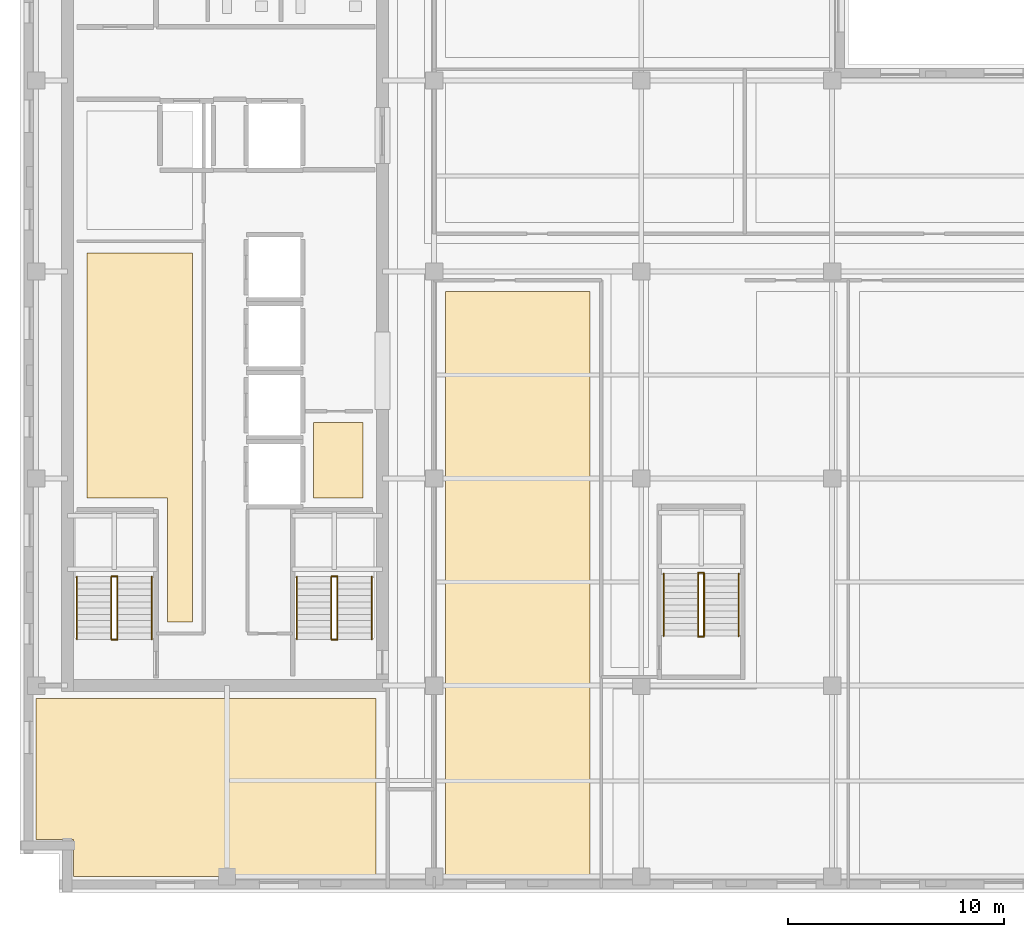
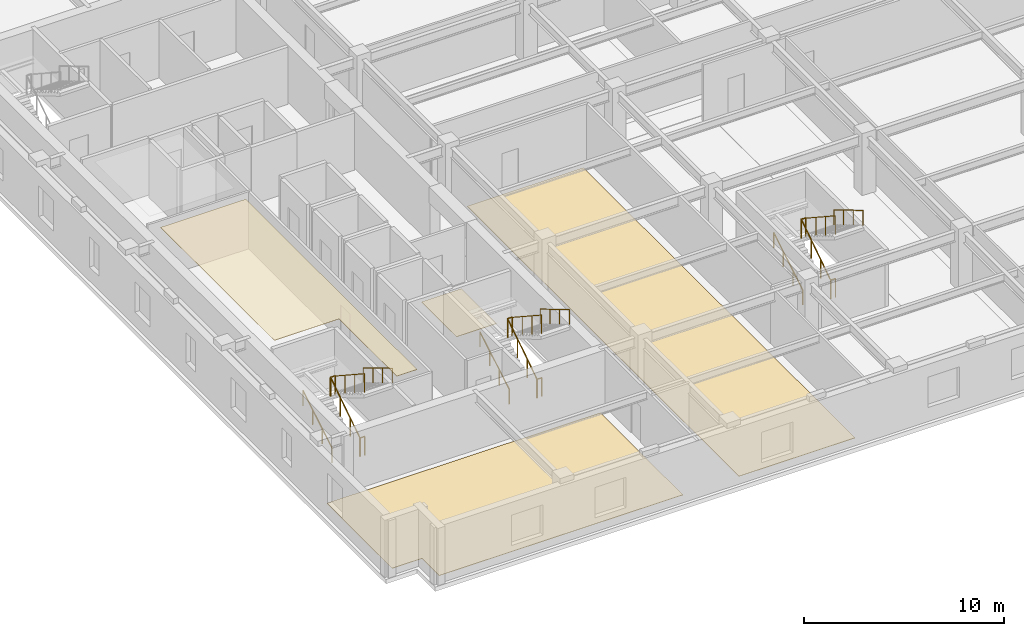
# One storey, part 7 of 11: 18 railings, 4 coverings.
"""IFC4 building model written with IfcOpenShell, lengths in metres."""

from ifc_helpers import new_model, si_unit, direction, frame, origin, origin_2d, place, context, subcontext, project, spatial, polyline, circle, outline, extrude, material, layer, layer_set, type_object, element, save


model = new_model("IFC4")

# Units and contexts
model_context = context("Model", 3, precision=1e-05, world=origin(), true_north=direction((0.0, 1.0)))
body_context = subcontext(model_context, "Body", "Model", "MODEL_VIEW")
ifc_project = project(units=[si_unit("LENGTHUNIT", "METRE"), si_unit("AREAUNIT", "SQUARE_METRE"), si_unit("VOLUMEUNIT", "CUBIC_METRE"), si_unit("PLANEANGLEUNIT", "RADIAN"), si_unit("MASSUNIT", "GRAM", prefix="KILO")], contexts=[model_context])

# Site, building, storey
site_placement = place(None, origin())
site = spatial("IfcSite", under=ifc_project, at=site_placement, CompositionType="ELEMENT")
building_placement = place(site_placement, origin())
building = spatial("IfcBuilding", under=site, at=building_placement, Name="Norrvale University Quadrangle", CompositionType="ELEMENT")
storey_placement = place(building_placement, frame((0.0, 0.0, 252.199951171875)))
storey = spatial("IfcBuildingStorey", under=building, at=storey_placement, Name="L64", CompositionType="ELEMENT", Elevation=252.199951171875)

# Coverings
ifc_material_1 = material(Name="Perforated Acoustic Mineral Ceiling")
ifc_layer_1 = layer(ifc_material_1, 0.02490234375, Name="Perforated Acoustic Mineral Ceiling")
ifc_layer_set_1 = layer_set([ifc_layer_1], Name="Perforated Acoustic Mineral Ceiling")
covering_type_1 = type_object("IfcCoveringType", Name="Covering Acoustic Ceiling 25", PredefinedType="CEILING", material=ifc_layer_set_1)
covering_1_placement = place(storey_placement, frame((0.0, 0.0, 3.455078125)))
element("IfcCovering", 1, at=covering_1_placement, inside=storey, type_object=covering_type_1, Name="Acoustic Ceiling RM-L64-REC1", PredefinedType="CEILING", context=body_context, shape_type="SweptSolid", body=[
    extrude(outline(polyline([(3.10009765625, 18.300048828125), (3.10009765625, 29.64990234375), (8.0, 29.64990234375), (8.0, 12.550048828125), (6.830078125, 12.550048828125), (6.830078125, 18.300048828125), (3.10009765625, 18.300048828125)])), origin(), (0.0, 0.0, 1.0), 0.02490234375),
])
ifc_material_2 = material(Name="Polished Terrazzo Flooring")
ifc_layer_2 = layer(ifc_material_2, 0.02490234375, Name="Polished Terrazzo Flooring")
ifc_layer_set_2 = layer_set([ifc_layer_2], Name="Polished Terrazzo Flooring")
covering_type_2 = type_object("IfcCoveringType", Name="Covering Terrazzo Floor 30", PredefinedType="FLOORING", material=ifc_layer_set_2)
covering_2_placement = place(storey_placement, origin())
element("IfcCovering", 2, at=covering_2_placement, inside=storey, type_object=covering_type_2, Name="Terrazzo Flooring RM-L64-JAN", PredefinedType="FLOORING", context=body_context, shape_type="SweptSolid", body=[
    extrude(outline(polyline([(13.60009765625, 18.300048828125), (13.60009765625, 21.800048828125), (15.89990234375, 21.800048828125), (15.89990234375, 18.300048828125), (13.60009765625, 18.300048828125)])), origin(), (0.0, 0.0, 1.0), 0.025146484375),
])
covering_3_placement = place(storey_placement, origin())
element("IfcCovering", 3, at=covering_3_placement, inside=storey, type_object=covering_type_2, Name="Terrazzo Flooring RM-L64-SW1", PredefinedType="FLOORING", context=body_context, shape_type="SweptSolid", body=[
    extrude(outline(polyline([(0.75, 9.0), (16.5, 9.0), (16.5, 0.75), (2.469970703125, 0.75), (2.469970703125, 2.469970703125), (0.75, 2.469970703125), (0.75, 9.0)])), origin(), (0.0, 0.0, 1.0), 0.025146484375),
])
covering_4_placement = place(storey_placement, origin())
element("IfcCovering", 4, at=covering_4_placement, inside=storey, type_object=covering_type_2, Name="Terrazzo Flooring RM-L64-SE1", PredefinedType="FLOORING", context=body_context, shape_type="SweptSolid", body=[
    extrude(outline(polyline([(19.72998046875, 27.8701171875), (26.419921875, 27.8701171875), (26.419921875, 0.75), (19.72998046875, 0.75), (19.72998046875, 27.8701171875)])), origin(), (0.0, 0.0, 1.0), 0.025146484375),
])

# Railings
ifc_material_3 = material(Name="Steel 350W Painted Balustrade", Category="steel")
railing_type_1 = type_object("IfcRailingType", Name="Railing Stair Guard 1100", PredefinedType="GUARDRAIL", material=ifc_material_3)
for number, where, name in (
    (5, (4.239990234375, 11.719970703125, 0.0), "Stair Floor Well Guard ST-01 L64"),
    (6, (4.239990234375, 14.679931640625, 1.900146484375), "Stair Mid-Landing Slot Guard ST-01 L64"),
):
    element("IfcRailing", number, at=place(storey_placement, frame(where)), inside=storey, type_object=railing_type_1, Name=name, PredefinedType="GUARDRAIL", context=body_context, shape_type="SweptSolid", body=[
        extrude(circle(Radius=0.02392578125, at=origin_2d()), frame((0.0, 0.0, 1.1259765625), z_axis=(1.0, 0.0, 0.0), x_axis=(0.0, 1.0, 0.0)), (0.0, 0.0, 1.0), 0.27001953125),
        extrude(circle(Radius=0.02099609375, at=origin_2d()), origin(), (0.0, 0.0, 1.0), 1.101806640625),
        extrude(circle(Radius=0.02099609375, at=origin_2d()), frame((0.27001953125, 0.0, 0.0)), (0.0, 0.0, 1.0), 1.101806640625),
    ])
railing_1_placement = place(storey_placement, frame((4.239990234375, 11.75, 0.0)))
element("IfcRailing", 7, at=railing_1_placement, inside=storey, type_object=railing_type_1, Name="Stair Lower Flight Inner Guard ST-01 L64", PredefinedType="GUARDRAIL", context=body_context, shape_type="SweptSolid", body=[
    extrude(circle(Radius=0.02392578125, at=origin_2d()), frame((0.0, 0.0, 1.1259765625), z_axis=(0.0, 0.836433300813, 0.548068730445), x_axis=(-1.0, 0.0, 0.0)), (0.0, 0.0, 1.0), 3.467041015625),
    extrude(circle(Radius=0.02099609375, at=origin_2d()), origin(), (0.0, 0.0, 1.0), 1.101806640625),
    extrude(circle(Radius=0.02099609375, at=origin_2d()), frame((0.0, 0.966552734375, 0.63330078125)), (0.0, 0.0, 1.0), 1.101806640625),
    extrude(circle(Radius=0.02099609375, at=origin_2d()), frame((0.0, 1.933349609375, 1.266845703125)), (0.0, 0.0, 1.0), 1.101806640625),
    extrude(circle(Radius=0.02099609375, at=origin_2d()), frame((0.0, 2.89990234375, 1.900146484375)), (0.0, 0.0, 1.0), 1.101806640625),
])
railing_2_placement = place(storey_placement, frame((4.510009765625, 14.64990234375, 1.900146484375)))
element("IfcRailing", 8, at=railing_2_placement, inside=storey, type_object=railing_type_1, Name="Stair Upper Flight Inner Guard ST-01 L64", PredefinedType="GUARDRAIL", context=body_context, shape_type="SweptSolid", body=[
    extrude(circle(Radius=0.02392578125, at=origin_2d()), frame((0.0, 0.0, 1.1259765625), z_axis=(0.0, -0.836465582154, 0.548019461216), x_axis=(1.0, 0.0, 0.0)), (0.0, 0.0, 1.0), 3.466796875),
    extrude(circle(Radius=0.02099609375, at=origin_2d()), origin(), (0.0, 0.0, 1.0), 1.101806640625),
    extrude(circle(Radius=0.02099609375, at=origin_2d()), frame((0.0, -0.966552734375, 0.63330078125)), (0.0, 0.0, 1.0), 1.101806640625),
    extrude(circle(Radius=0.02099609375, at=origin_2d()), frame((0.0, -1.933349609375, 1.2666015625)), (0.0, 0.0, 1.0), 1.101806640625),
    extrude(circle(Radius=0.02099609375, at=origin_2d()), frame((0.0, -2.89990234375, 1.89990234375)), (0.0, 0.0, 1.0), 1.101806640625),
])
for number, where, name in (
    (9, (14.43994140625, 11.719970703125, 0.0), "Stair Floor Well Guard ST-03 L64"),
    (10, (14.43994140625, 14.679931640625, 1.900146484375), "Stair Mid-Landing Slot Guard ST-03 L64"),
):
    element("IfcRailing", number, at=place(storey_placement, frame(where)), inside=storey, type_object=railing_type_1, Name=name, PredefinedType="GUARDRAIL", context=body_context, shape_type="SweptSolid", body=[
        extrude(circle(Radius=0.02392578125, at=origin_2d()), frame((0.0, 0.0, 1.1259765625), z_axis=(1.0, 0.0, 0.0), x_axis=(0.0, 1.0, 0.0)), (0.0, 0.0, 1.0), 0.27001953125),
        extrude(circle(Radius=0.02099609375, at=origin_2d()), origin(), (0.0, 0.0, 1.0), 1.101806640625),
        extrude(circle(Radius=0.02099609375, at=origin_2d()), frame((0.27001953125, 0.0, 0.0)), (0.0, 0.0, 1.0), 1.101806640625),
    ])
railing_3_placement = place(storey_placement, frame((14.43994140625, 11.75, 0.0)))
element("IfcRailing", 11, at=railing_3_placement, inside=storey, type_object=railing_type_1, Name="Stair Lower Flight Inner Guard ST-03 L64", PredefinedType="GUARDRAIL", context=body_context, shape_type="SweptSolid", body=[
    extrude(circle(Radius=0.02392578125, at=origin_2d()), frame((0.0, 0.0, 1.1259765625), z_axis=(0.0, 0.836433300813, 0.548068730445), x_axis=(-1.0, 0.0, 0.0)), (0.0, 0.0, 1.0), 3.467041015625),
    extrude(circle(Radius=0.02099609375, at=origin_2d()), origin(), (0.0, 0.0, 1.0), 1.101806640625),
    extrude(circle(Radius=0.02099609375, at=origin_2d()), frame((0.0, 0.966552734375, 0.63330078125)), (0.0, 0.0, 1.0), 1.101806640625),
    extrude(circle(Radius=0.02099609375, at=origin_2d()), frame((0.0, 1.933349609375, 1.266845703125)), (0.0, 0.0, 1.0), 1.101806640625),
    extrude(circle(Radius=0.02099609375, at=origin_2d()), frame((0.0, 2.89990234375, 1.900146484375)), (0.0, 0.0, 1.0), 1.101806640625),
])
railing_4_placement = place(storey_placement, frame((14.7099609375, 14.64990234375, 1.900146484375)))
element("IfcRailing", 12, at=railing_4_placement, inside=storey, type_object=railing_type_1, Name="Stair Upper Flight Inner Guard ST-03 L64", PredefinedType="GUARDRAIL", context=body_context, shape_type="SweptSolid", body=[
    extrude(circle(Radius=0.02392578125, at=origin_2d()), frame((0.0, 0.0, 1.1259765625), z_axis=(0.0, -0.836465582154, 0.548019461216), x_axis=(1.0, 0.0, 0.0)), (0.0, 0.0, 1.0), 3.466796875),
    extrude(circle(Radius=0.02099609375, at=origin_2d()), origin(), (0.0, 0.0, 1.0), 1.101806640625),
    extrude(circle(Radius=0.02099609375, at=origin_2d()), frame((0.0, -0.966552734375, 0.63330078125)), (0.0, 0.0, 1.0), 1.101806640625),
    extrude(circle(Radius=0.02099609375, at=origin_2d()), frame((0.0, -1.933349609375, 1.2666015625)), (0.0, 0.0, 1.0), 1.101806640625),
    extrude(circle(Radius=0.02099609375, at=origin_2d()), frame((0.0, -2.89990234375, 1.89990234375)), (0.0, 0.0, 1.0), 1.101806640625),
])
for number, where, name in (
    (13, (31.43994140625, 11.8701171875, 0.0), "Stair Floor Well Guard ST-04 L64"),
    (14, (31.43994140625, 14.830078125, 1.900146484375), "Stair Mid-Landing Slot Guard ST-04 L64"),
):
    element("IfcRailing", number, at=place(storey_placement, frame(where)), inside=storey, type_object=railing_type_1, Name=name, PredefinedType="GUARDRAIL", context=body_context, shape_type="SweptSolid", body=[
        extrude(circle(Radius=0.02392578125, at=origin_2d()), frame((0.0, 0.0, 1.1259765625), z_axis=(1.0, 0.0, 0.0), x_axis=(0.0, 1.0, 0.0)), (0.0, 0.0, 1.0), 0.27001953125),
        extrude(circle(Radius=0.02099609375, at=origin_2d()), origin(), (0.0, 0.0, 1.0), 1.101806640625),
        extrude(circle(Radius=0.02099609375, at=origin_2d()), frame((0.27001953125, 0.0, 0.0)), (0.0, 0.0, 1.0), 1.101806640625),
    ])
railing_5_placement = place(storey_placement, frame((31.43994140625, 11.89990234375, 0.0)))
element("IfcRailing", 15, at=railing_5_placement, inside=storey, type_object=railing_type_1, Name="Stair Lower Flight Inner Guard ST-04 L64", PredefinedType="GUARDRAIL", context=body_context, shape_type="SweptSolid", body=[
    extrude(circle(Radius=0.02392578125, at=origin_2d()), frame((0.0, 0.0, 1.1259765625), z_axis=(0.0, 0.836454451266, 0.548036450392), x_axis=(-1.0, 0.0, 0.0)), (0.0, 0.0, 1.0), 3.46728515625),
    extrude(circle(Radius=0.02099609375, at=origin_2d()), origin(), (0.0, 0.0, 1.0), 1.101806640625),
    extrude(circle(Radius=0.02099609375, at=origin_2d()), frame((0.0, 0.966796875, 0.63330078125)), (0.0, 0.0, 1.0), 1.101806640625),
    extrude(circle(Radius=0.02099609375, at=origin_2d()), frame((0.0, 1.933349609375, 1.266845703125)), (0.0, 0.0, 1.0), 1.101806640625),
    extrude(circle(Radius=0.02099609375, at=origin_2d()), frame((0.0, 2.900146484375, 1.900146484375)), (0.0, 0.0, 1.0), 1.101806640625),
])
railing_6_placement = place(storey_placement, frame((31.7099609375, 14.800048828125, 1.900146484375)))
element("IfcRailing", 16, at=railing_6_placement, inside=storey, type_object=railing_type_1, Name="Stair Upper Flight Inner Guard ST-04 L64", PredefinedType="GUARDRAIL", context=body_context, shape_type="SweptSolid", body=[
    extrude(circle(Radius=0.02392578125, at=origin_2d()), frame((0.0, 0.0, 1.1259765625), z_axis=(0.0, -0.836486729621, 0.547987181573), x_axis=(1.0, 0.0, 0.0)), (0.0, 0.0, 1.0), 3.467041015625),
    extrude(circle(Radius=0.02099609375, at=origin_2d()), origin(), (0.0, 0.0, 1.0), 1.101806640625),
    extrude(circle(Radius=0.02099609375, at=origin_2d()), frame((0.0, -0.966796875, 0.63330078125)), (0.0, 0.0, 1.0), 1.101806640625),
    extrude(circle(Radius=0.02099609375, at=origin_2d()), frame((0.0, -1.933349609375, 1.2666015625)), (0.0, 0.0, 1.0), 1.101806640625),
    extrude(circle(Radius=0.02099609375, at=origin_2d()), frame((0.0, -2.900146484375, 1.89990234375)), (0.0, 0.0, 1.0), 1.101806640625),
])
ifc_material_4 = material(Name="Stainless Steel 316L Handrail", Category="steel")
railing_type_2 = type_object("IfcRailingType", Name="Railing Stair Handrail 920", PredefinedType="HANDRAIL", material=ifc_material_4)
railing_7_placement = place(storey_placement, frame((2.639892578125, 11.75, 0.1728515625)))
element("IfcRailing", 17, at=railing_7_placement, inside=storey, type_object=railing_type_2, Name="Stair Lower Flight Handrail ST-01 L64", PredefinedType="HANDRAIL", context=body_context, shape_type="SweptSolid", body=[
    extrude(circle(Radius=0.02392578125, at=origin_2d()), frame((0.0, 0.0, 0.89599609375), z_axis=(0.0, 0.859141464434, 0.511738159696), x_axis=(-1.0, 0.0, 0.0)), (0.0, 0.0, 1.0), 3.375244140625),
    extrude(circle(Radius=0.02099609375, at=origin_2d()), origin(), (0.0, 0.0, 1.0), 0.871826171875),
    extrude(circle(Radius=0.02099609375, at=origin_2d()), frame((0.0, 0.966552734375, 0.57568359375)), (0.0, 0.0, 1.0), 0.871826171875),
    extrude(circle(Radius=0.02099609375, at=origin_2d()), frame((0.0, 1.933349609375, 1.151611328125)), (0.0, 0.0, 1.0), 0.871826171875),
    extrude(circle(Radius=0.02099609375, at=origin_2d()), frame((0.0, 2.89990234375, 1.727294921875)), (0.0, 0.0, 1.0), 0.871826171875),
])
railing_8_placement = place(storey_placement, frame((6.110107421875, 14.64990234375, 2.07275390625)))
element("IfcRailing", 18, at=railing_8_placement, inside=storey, type_object=railing_type_2, Name="Stair Upper Flight Handrail ST-01 L64", PredefinedType="HANDRAIL", context=body_context, shape_type="SweptSolid", body=[
    extrude(circle(Radius=0.02392578125, at=origin_2d()), frame((0.0, 0.0, 0.89599609375), z_axis=(0.0, -0.859141464434, 0.511738159696), x_axis=(1.0, 0.0, 0.0)), (0.0, 0.0, 1.0), 3.375244140625),
    extrude(circle(Radius=0.02099609375, at=origin_2d()), origin(), (0.0, 0.0, 1.0), 0.871826171875),
    extrude(circle(Radius=0.02099609375, at=origin_2d()), frame((0.0, -0.966552734375, 0.57568359375)), (0.0, 0.0, 1.0), 0.871826171875),
    extrude(circle(Radius=0.02099609375, at=origin_2d()), frame((0.0, -1.933349609375, 1.151611328125)), (0.0, 0.0, 1.0), 0.871826171875),
    extrude(circle(Radius=0.02099609375, at=origin_2d()), frame((0.0, -2.89990234375, 1.727294921875)), (0.0, 0.0, 1.0), 0.871826171875),
])
railing_9_placement = place(storey_placement, frame((12.840087890625, 11.75, 0.1728515625)))
element("IfcRailing", 19, at=railing_9_placement, inside=storey, type_object=railing_type_2, Name="Stair Lower Flight Handrail ST-03 L64", PredefinedType="HANDRAIL", context=body_context, shape_type="SweptSolid", body=[
    extrude(circle(Radius=0.02392578125, at=origin_2d()), frame((0.0, 0.0, 0.89599609375), z_axis=(0.0, 0.859141464434, 0.511738159696), x_axis=(-1.0, 0.0, 0.0)), (0.0, 0.0, 1.0), 3.375244140625),
    extrude(circle(Radius=0.02099609375, at=origin_2d()), origin(), (0.0, 0.0, 1.0), 0.871826171875),
    extrude(circle(Radius=0.02099609375, at=origin_2d()), frame((0.0, 0.966552734375, 0.57568359375)), (0.0, 0.0, 1.0), 0.871826171875),
    extrude(circle(Radius=0.02099609375, at=origin_2d()), frame((0.0, 1.933349609375, 1.151611328125)), (0.0, 0.0, 1.0), 0.871826171875),
    extrude(circle(Radius=0.02099609375, at=origin_2d()), frame((0.0, 2.89990234375, 1.727294921875)), (0.0, 0.0, 1.0), 0.871826171875),
])
railing_10_placement = place(storey_placement, frame((16.31005859375, 14.64990234375, 2.07275390625)))
element("IfcRailing", 20, at=railing_10_placement, inside=storey, type_object=railing_type_2, Name="Stair Upper Flight Handrail ST-03 L64", PredefinedType="HANDRAIL", context=body_context, shape_type="SweptSolid", body=[
    extrude(circle(Radius=0.02392578125, at=origin_2d()), frame((0.0, 0.0, 0.89599609375), z_axis=(0.0, -0.859141464434, 0.511738159696), x_axis=(1.0, 0.0, 0.0)), (0.0, 0.0, 1.0), 3.375244140625),
    extrude(circle(Radius=0.02099609375, at=origin_2d()), origin(), (0.0, 0.0, 1.0), 0.871826171875),
    extrude(circle(Radius=0.02099609375, at=origin_2d()), frame((0.0, -0.966552734375, 0.57568359375)), (0.0, 0.0, 1.0), 0.871826171875),
    extrude(circle(Radius=0.02099609375, at=origin_2d()), frame((0.0, -1.933349609375, 1.151611328125)), (0.0, 0.0, 1.0), 0.871826171875),
    extrude(circle(Radius=0.02099609375, at=origin_2d()), frame((0.0, -2.89990234375, 1.727294921875)), (0.0, 0.0, 1.0), 0.871826171875),
])
railing_11_placement = place(storey_placement, frame((29.840087890625, 11.89990234375, 0.1728515625)))
element("IfcRailing", 21, at=railing_11_placement, inside=storey, type_object=railing_type_2, Name="Stair Lower Flight Handrail ST-04 L64", PredefinedType="HANDRAIL", context=body_context, shape_type="SweptSolid", body=[
    extrude(circle(Radius=0.02392578125, at=origin_2d()), frame((0.0, 0.0, 0.89599609375), z_axis=(0.0, 0.859160404282, 0.51170636083), x_axis=(-1.0, 0.0, 0.0)), (0.0, 0.0, 1.0), 3.37548828125),
    extrude(circle(Radius=0.02099609375, at=origin_2d()), origin(), (0.0, 0.0, 1.0), 0.871826171875),
    extrude(circle(Radius=0.02099609375, at=origin_2d()), frame((0.0, 0.966796875, 0.57568359375)), (0.0, 0.0, 1.0), 0.871826171875),
    extrude(circle(Radius=0.02099609375, at=origin_2d()), frame((0.0, 1.933349609375, 1.151611328125)), (0.0, 0.0, 1.0), 0.871826171875),
    extrude(circle(Radius=0.02099609375, at=origin_2d()), frame((0.0, 2.900146484375, 1.727294921875)), (0.0, 0.0, 1.0), 0.871826171875),
])
railing_12_placement = place(storey_placement, frame((33.31005859375, 14.800048828125, 2.07275390625)))
element("IfcRailing", 22, at=railing_12_placement, inside=storey, type_object=railing_type_2, Name="Stair Upper Flight Handrail ST-04 L64", PredefinedType="HANDRAIL", context=body_context, shape_type="SweptSolid", body=[
    extrude(circle(Radius=0.02392578125, at=origin_2d()), frame((0.0, 0.0, 0.89599609375), z_axis=(0.0, -0.859160404282, 0.51170636083), x_axis=(1.0, 0.0, 0.0)), (0.0, 0.0, 1.0), 3.37548828125),
    extrude(circle(Radius=0.02099609375, at=origin_2d()), origin(), (0.0, 0.0, 1.0), 0.871826171875),
    extrude(circle(Radius=0.02099609375, at=origin_2d()), frame((0.0, -0.966796875, 0.57568359375)), (0.0, 0.0, 1.0), 0.871826171875),
    extrude(circle(Radius=0.02099609375, at=origin_2d()), frame((0.0, -1.933349609375, 1.151611328125)), (0.0, 0.0, 1.0), 0.871826171875),
    extrude(circle(Radius=0.02099609375, at=origin_2d()), frame((0.0, -2.900146484375, 1.727294921875)), (0.0, 0.0, 1.0), 0.871826171875),
])

save(model, "model.ifc")
